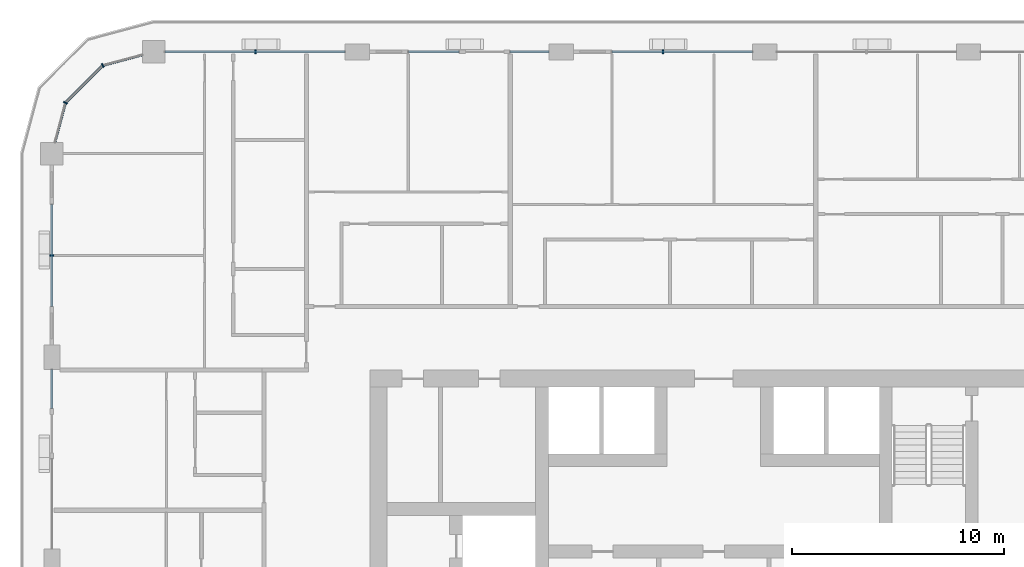
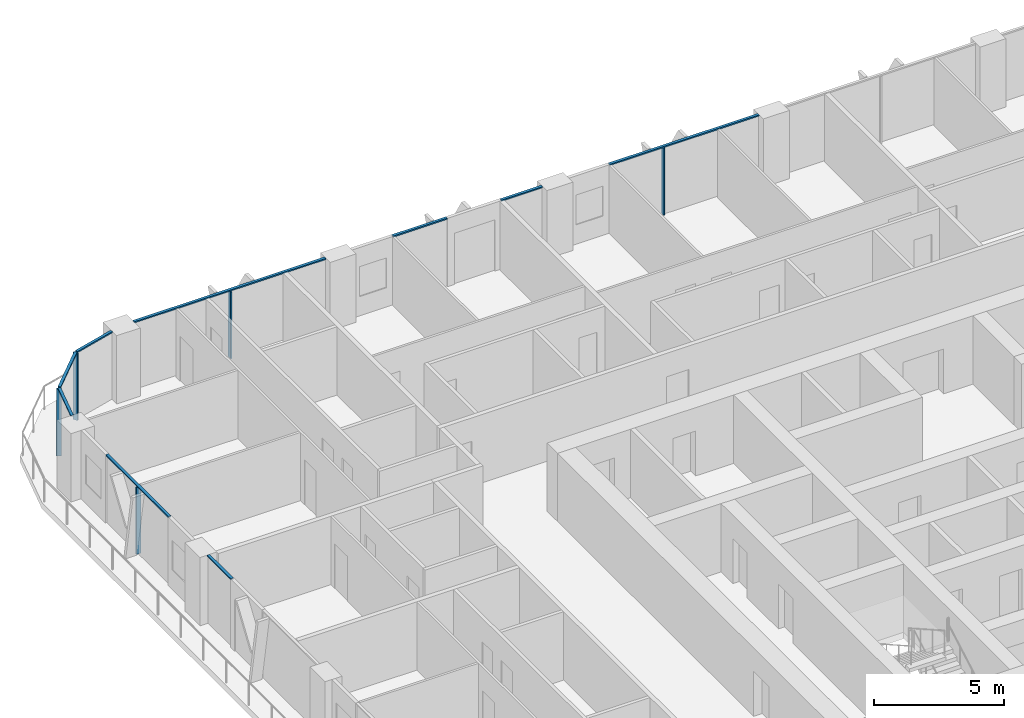
# One storey, part 5 of 23: 14 members, 6 elements without a shape of their own.
"""IFC4 building model written with IfcOpenShell, lengths in metres."""

from ifc_helpers import new_model, si_unit, direction, frame, origin, origin_2d, place, context, subcontext, project, spatial, rectangle, extrude, material, layer, layer_set, material_profile, profile_set, type_object, element, aggregate, save


model = new_model("IFC4")

# Units and contexts
model_context = context("Model", 3, precision=1e-05, world=origin(), true_north=direction((0.0, 1.0)))
body_context = subcontext(model_context, "Body", "Model", "MODEL_VIEW")
ifc_project = project(units=[si_unit("LENGTHUNIT", "METRE"), si_unit("AREAUNIT", "SQUARE_METRE"), si_unit("VOLUMEUNIT", "CUBIC_METRE"), si_unit("PLANEANGLEUNIT", "RADIAN"), si_unit("MASSUNIT", "GRAM", prefix="KILO")], contexts=[model_context])

# Site, building, storey
site_placement = place(None, origin())
site = spatial("IfcSite", under=ifc_project, at=site_placement, CompositionType="ELEMENT")
building_placement = place(site_placement, origin())
building = spatial("IfcBuilding", under=site, at=building_placement, Name="Madar Terraces", CompositionType="ELEMENT")
storey_placement = place(building_placement, frame((0.0, 0.0, 133.10009765625)))
storey = spatial("IfcBuildingStorey", under=building, at=storey_placement, Name="L34", CompositionType="ELEMENT", Elevation=133.10009765625)

# Curtain wall, member
ifc_material_1 = material(Name="Glass, ceramic frit dark grey, with black aluminium frame", Category="aluminium")
ifc_layer = layer(ifc_material_1, 0.199951171875)
ifc_layer_set = layer_set([ifc_layer], Name="Facade curtain wall, fritted glass")
curtain_wall_type = type_object("IfcCurtainWallType", Name="Facade curtain wall, fritted glass", PredefinedType="NOTDEFINED", material=ifc_layer_set)
curtain_wall_1_placement = place(storey_placement, origin())
curtain_wall_1 = element("IfcCurtainWall", 1, at=curtain_wall_1_placement, inside=storey, type_object=curtain_wall_type, Name="Outer skin curtain wall north bay 3", PredefinedType="NOTDEFINED")
ifc_material_2 = material(Name="Aluminium, black anodised", Category="aluminium")
ifc_material_profile_1 = material_profile(ifc_material_2, rectangle(XDim=0.199951171875, YDim=0.06005859375, at=origin_2d()), Name="Facade mullion 60x200")
ifc_profile_set_1 = profile_set([ifc_material_profile_1], Name="Aluminium, black anodised")
member_type_1 = type_object("IfcMemberType", Name="Facade mullion 60x200", PredefinedType="MULLION", material=ifc_profile_set_1)
member_1_placement = place(storey_placement, frame((28.800048828125, 52.800048828125, 0.0), z_axis=(0.0, 0.0, 1.0), x_axis=(0.0, -1.0, 0.0)))
member_1 = element("IfcMember", 2, at=member_1_placement, type_object=member_type_1, Name="Mullion 1", PredefinedType="MULLION", context=body_context, shape_type="SweptSolid", body=[
    extrude(rectangle(XDim=0.199951171875, YDim=0.06005859375, at=origin_2d()), origin(), (0.0, 0.0, 1.0), 3.139892578125),
])

curtain_wall_2_placement = place(storey_placement, origin())
curtain_wall_2 = element("IfcCurtainWall", 3, at=curtain_wall_2_placement, inside=storey, type_object=curtain_wall_type, Name="Outer skin curtain wall north bay 5", PredefinedType="NOTDEFINED")
member_2_placement = place(storey_placement, frame((9.60009765625, 52.800048828125, 0.0), z_axis=(0.0, 0.0, 1.0), x_axis=(0.0, -1.0, 0.0)))
member_2 = element("IfcMember", 4, at=member_2_placement, type_object=member_type_1, Name="Mullion 1", PredefinedType="MULLION", context=body_context, shape_type="SweptSolid", body=[
    extrude(rectangle(XDim=0.199951171875, YDim=0.06005859375, at=origin_2d()), origin(), (0.0, 0.0, 1.0), 3.139892578125),
])

curtain_wall_3_placement = place(storey_placement, origin())
curtain_wall_3 = element("IfcCurtainWall", 5, at=curtain_wall_3_placement, inside=storey, type_object=curtain_wall_type, Name="Outer skin curtain wall west bay 1", PredefinedType="NOTDEFINED")
member_3_placement = place(storey_placement, frame((0.0, 43.199951171875, 0.0), z_axis=(0.0, 0.0, 1.0), x_axis=(1.0, 0.0, 0.0)))
member_3 = element("IfcMember", 6, at=member_3_placement, type_object=member_type_1, Name="Mullion 1", PredefinedType="MULLION", context=body_context, shape_type="SweptSolid", body=[
    extrude(rectangle(XDim=0.199951171875, YDim=0.06005859375, at=origin_2d()), origin(), (0.0, 0.0, 1.0), 3.139892578125),
])

# Curtain wall, members
curtain_wall_4_placement = place(storey_placement, origin())
curtain_wall_4 = element("IfcCurtainWall", 7, at=curtain_wall_4_placement, inside=storey, type_object=curtain_wall_type, Name="Outer skin curtain wall north-west corner", PredefinedType="NOTDEFINED")
member_4_placement = place(storey_placement, frame((2.39990234375, 52.156982421875, 0.0), z_axis=(0.0, 0.0, 1.0), x_axis=(0.499999989586, -0.866025409797, 0.0)))
member_4 = element("IfcMember", 8, at=member_4_placement, type_object=member_type_1, Name="Mullion 1", PredefinedType="MULLION", context=body_context, shape_type="SweptSolid", body=[
    extrude(rectangle(XDim=0.199951171875, YDim=0.06005859375, at=origin_2d()), origin(), (0.0, 0.0, 1.0), 3.139892578125),
])
member_5_placement = place(storey_placement, frame((0.64306640625, 50.39990234375, 0.0), z_axis=(0.0, 0.0, 1.0), x_axis=(0.866025409797, -0.499999989586, 0.0)))
member_5 = element("IfcMember", 9, at=member_5_placement, type_object=member_type_1, Name="Mullion 2", PredefinedType="MULLION", context=body_context, shape_type="SweptSolid", body=[
    extrude(rectangle(XDim=0.199951171875, YDim=0.06005859375, at=origin_2d()), origin(), (0.0, 0.0, 1.0), 3.139892578125),
])

# Member
ifc_material_3 = material(Name="Aluminium, black anodised", Category="aluminium")
ifc_material_profile_2 = material_profile(ifc_material_3, rectangle(XDim=0.1201171875, YDim=0.06005859375, at=origin_2d()), Name="Facade transom 60x120")
ifc_profile_set_2 = profile_set([ifc_material_profile_2], Name="Aluminium, black anodised")
member_type_2 = type_object("IfcMemberType", Name="Facade transom 60x120", PredefinedType="USERDEFINED", material=ifc_profile_set_2)
member_6_placement = place(storey_placement, frame((33.02490234375, 52.800048828125, 3.169921875), z_axis=(-1.0, 0.0, 0.0), x_axis=(0.0, -1.0, 0.0)))
member_6 = element("IfcMember", 10, at=member_6_placement, type_object=member_type_2, Name="Transom 1", ObjectType="TRANSOM", PredefinedType="USERDEFINED", context=body_context, shape_type="SweptSolid", body=[
    extrude(rectangle(XDim=0.1201171875, YDim=0.06005859375, at=origin_2d()), origin(), (0.0, 0.0, 1.0), 6.625),
])

aggregate(curtain_wall_1, [member_1, member_6])

# Curtain wall, members
curtain_wall_5_placement = place(storey_placement, origin())
curtain_wall_5 = element("IfcCurtainWall", 11, at=curtain_wall_5_placement, inside=storey, type_object=curtain_wall_type, Name="Outer skin curtain wall north bay 4", PredefinedType="NOTDEFINED")
member_7_placement = place(storey_placement, frame((23.425048828125, 52.800048828125, 3.169921875), z_axis=(-1.0, 0.0, 0.0), x_axis=(0.0, -1.0, 0.0)))
member_7 = element("IfcMember", 12, at=member_7_placement, type_object=member_type_2, Name="Transom 1", ObjectType="TRANSOM", PredefinedType="USERDEFINED", context=body_context, shape_type="SweptSolid", body=[
    extrude(rectangle(XDim=0.1201171875, YDim=0.06005859375, at=origin_2d()), origin(), (0.0, 0.0, 1.0), 1.824951171875),
])
member_8_placement = place(storey_placement, frame((19.199951171875, 52.800048828125, 3.169921875), z_axis=(-1.0, 0.0, 0.0), x_axis=(0.0, -1.0, 0.0)))
member_8 = element("IfcMember", 13, at=member_8_placement, type_object=member_type_2, Name="Transom 2", ObjectType="TRANSOM", PredefinedType="USERDEFINED", context=body_context, shape_type="SweptSolid", body=[
    extrude(rectangle(XDim=0.1201171875, YDim=0.06005859375, at=origin_2d()), origin(), (0.0, 0.0, 1.0), 2.39990234375),
])
aggregate(curtain_wall_5, [member_7, member_8])

# Member
member_9_placement = place(storey_placement, frame((13.824951171875, 52.800048828125, 3.169921875), z_axis=(-1.0, 0.0, 0.0), x_axis=(0.0, -1.0, 0.0)))
member_9 = element("IfcMember", 14, at=member_9_placement, type_object=member_type_2, Name="Transom 1", ObjectType="TRANSOM", PredefinedType="USERDEFINED", context=body_context, shape_type="SweptSolid", body=[
    extrude(rectangle(XDim=0.1201171875, YDim=0.06005859375, at=origin_2d()), origin(), (0.0, 0.0, 1.0), 8.5),
])

aggregate(curtain_wall_2, [member_2, member_9])

member_10_placement = place(storey_placement, frame((0.0, 45.60009765625, 3.169921875), z_axis=(0.0, -1.0, 0.0), x_axis=(1.0, 0.0, 0.0)))
member_10 = element("IfcMember", 15, at=member_10_placement, type_object=member_type_2, Name="Transom 1", ObjectType="TRANSOM", PredefinedType="USERDEFINED", context=body_context, shape_type="SweptSolid", body=[
    extrude(rectangle(XDim=0.1201171875, YDim=0.06005859375, at=origin_2d()), origin(), (0.0, 0.0, 1.0), 4.800048828125),
])

aggregate(curtain_wall_3, [member_3, member_10])

# Curtain wall, member
curtain_wall_6_placement = place(storey_placement, origin())
curtain_wall_6 = element("IfcCurtainWall", 16, at=curtain_wall_6_placement, inside=storey, type_object=curtain_wall_type, Name="Outer skin curtain wall west bay 2", PredefinedType="NOTDEFINED")
member_11_placement = place(storey_placement, frame((0.0, 37.824951171875, 3.169921875), z_axis=(0.0, -1.0, 0.0), x_axis=(1.0, 0.0, 0.0)))
member_11 = element("IfcMember", 17, at=member_11_placement, type_object=member_type_2, Name="Transom 1", ObjectType="TRANSOM", PredefinedType="USERDEFINED", context=body_context, shape_type="SweptSolid", body=[
    extrude(rectangle(XDim=0.1201171875, YDim=0.06005859375, at=origin_2d()), origin(), (0.0, 0.0, 1.0), 1.824951171875),
])
aggregate(curtain_wall_6, [member_11])

# Member
member_12_placement = place(storey_placement, frame((4.27490234375, 52.659423828125, 3.169921875), z_axis=(-0.965924671538, -0.258823354654, 0.0), x_axis=(0.258823354654, -0.965924671538, 0.0)))
member_12 = element("IfcMember", 18, at=member_12_placement, type_object=member_type_2, Name="Transom 1", ObjectType="TRANSOM", PredefinedType="USERDEFINED", context=body_context, shape_type="SweptSolid", body=[
    extrude(rectangle(XDim=0.1201171875, YDim=0.06005859375, at=origin_2d()), origin(), (0.0, 0.0, 1.0), 1.9111328125),
])

member_13_placement = place(storey_placement, frame((2.37890625, 52.1357421875, 3.169921875), z_axis=(-0.707106781187, -0.707106781187, 0.0), x_axis=(0.707106781187, -0.707106781187, 0.0)))
member_13 = element("IfcMember", 19, at=member_13_placement, type_object=member_type_2, Name="Transom 2", ObjectType="TRANSOM", PredefinedType="USERDEFINED", context=body_context, shape_type="SweptSolid", body=[
    extrude(rectangle(XDim=0.1201171875, YDim=0.06005859375, at=origin_2d()), origin(), (0.0, 0.0, 1.0), 2.4248046875),
])

member_14_placement = place(storey_placement, frame((0.63525390625, 50.37109375, 3.169921875), z_axis=(-0.25879142023, -0.965933227928, 0.0), x_axis=(0.965933227928, -0.25879142023, 0.0)))
member_14 = element("IfcMember", 20, at=member_14_placement, type_object=member_type_2, Name="Transom 3", ObjectType="TRANSOM", PredefinedType="USERDEFINED", context=body_context, shape_type="SweptSolid", body=[
    extrude(rectangle(XDim=0.1201171875, YDim=0.06005859375, at=origin_2d()), origin(), (0.0, 0.0, 1.0), 1.911376953125),
])

aggregate(curtain_wall_4, [member_4, member_12, member_5, member_13, member_14])

save(model, "model.ifc")
